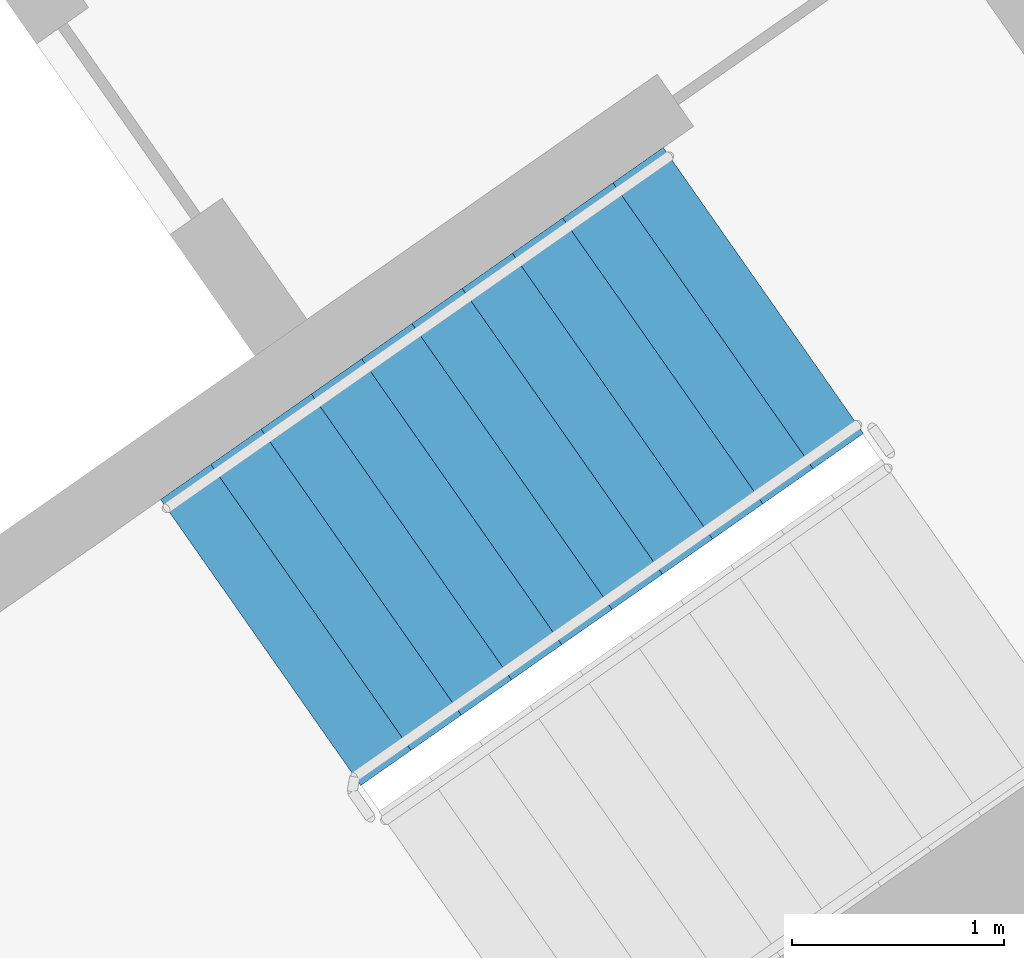
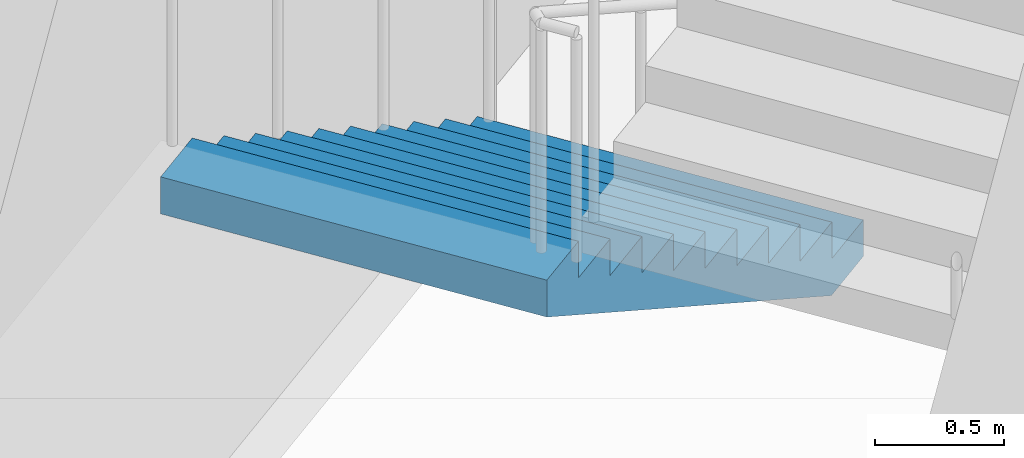
# One storey, part 17 of 30: 1 stair flight, 1 element without a shape of its own.
"""IFC4 building model written with IfcOpenShell, lengths in metres."""

from ifc_helpers import new_model, si_unit, direction, frame, origin, place, context, subcontext, project, spatial, faceted_brep, material, type_object, element, aggregate, save


model = new_model("IFC4")

# Units and contexts
model_context = context("Model", 3, precision=1e-05, world=origin(), true_north=direction((0.0, 1.0)))
body_context = subcontext(model_context, "Body", "Model", "MODEL_VIEW")
ifc_project = project(units=[si_unit("LENGTHUNIT", "METRE"), si_unit("AREAUNIT", "SQUARE_METRE"), si_unit("VOLUMEUNIT", "CUBIC_METRE"), si_unit("PLANEANGLEUNIT", "RADIAN"), si_unit("MASSUNIT", "GRAM", prefix="KILO")], contexts=[model_context])

# Site, building, storey
site_placement = place(None, origin())
site = spatial("IfcSite", under=ifc_project, at=site_placement, CompositionType="ELEMENT")
building_placement = place(site_placement, origin())
building = spatial("IfcBuilding", under=site, at=building_placement, Name="Qamariyya Broadcast Tower", CompositionType="ELEMENT")
storey_placement = place(building_placement, frame((0.0, 0.0, 98.699951171875)))
storey = spatial("IfcBuildingStorey", under=building, at=storey_placement, Name="L21", CompositionType="ELEMENT", Elevation=98.699951171875)

# Stair, stair flight
ifc_material = material(Name="Concrete C50/60", Category="concrete")
stair_type = type_object("IfcStairType", Name="Exit stair 22 risers of 173 mm", PredefinedType="HALF_TURN_STAIR", material=ifc_material)
stair_placement = place(storey_placement, origin())
stair = element("IfcStair", 1, at=stair_placement, inside=storey, type_object=stair_type, Name="L21 Stair E1", PredefinedType="HALF_TURN_STAIR")
stair_flight_type = type_object("IfcStairFlightType", Name="Exit stair flight 11 risers of 173 mm", PredefinedType="STRAIGHT", material=ifc_material)
stair_flight_placement = place(storey_placement, frame((46.036376953125, -55.508056640625, 0.0), z_axis=(0.0, 0.0, 1.0), x_axis=(-0.819152044289, -0.573576436351, 0.0)))
stair_flight = element("IfcStairFlight", 2, at=stair_flight_placement, type_object=stair_flight_type, Name="ST-E1 flight 1", NumberOfRisers=11, NumberOfTreads=10, PredefinedType="STRAIGHT", RiserHeight=0.172727273, TreadLength=0.29, context=body_context, shape_type="Brep", body=[
    faceted_brep([(0.0, 0.824951171875, 0.0), (0.0, 0.824951171875, 0.172607421875), (0.2900390625, 0.824951171875, 0.172607421875), (0.2900390625, 0.824951171875, 0.345458984375), (0.580078125, 0.824951171875, 0.345458984375), (0.580078125, 0.824951171875, 0.51806640625), (0.8701171875, 0.824951171875, 0.51806640625), (0.8701171875, 0.824951171875, 0.69091796875), (1.159912109375, 0.824951171875, 0.69091796875), (1.159912109375, 0.824951171875, 0.863525390625), (1.449951171875, 0.824951171875, 0.863525390625), (1.449951171875, 0.824951171875, 1.036376953125), (1.739990234375, 0.824951171875, 1.036376953125), (1.739990234375, 0.824951171875, 1.208984375), (2.030029296875, 0.824951171875, 1.208984375), (2.030029296875, 0.824951171875, 1.3818359375), (2.320068359375, 0.824951171875, 1.3818359375), (2.320068359375, 0.824951171875, 1.554443359375), (2.610107421875, 0.824951171875, 1.554443359375), (2.610107421875, 0.824951171875, 1.727294921875), (2.89990234375, 0.824951171875, 1.727294921875), (2.89990234375, 0.824951171875, 1.552734375), (0.29296875, 0.824951171875, 0.0), (0.29296875, -0.824951171875, 0.0), (2.89990234375, -0.824951171875, 1.552734375), (2.89990234375, -0.824951171875, 1.727294921875), (2.610107421875, -0.824951171875, 1.727294921875), (2.610107421875, -0.824951171875, 1.554443359375), (2.320068359375, -0.824951171875, 1.554443359375), (2.320068359375, -0.824951171875, 1.3818359375), (2.030029296875, -0.824951171875, 1.3818359375), (2.030029296875, -0.824951171875, 1.208984375), (1.739990234375, -0.824951171875, 1.208984375), (1.739990234375, -0.824951171875, 1.036376953125), (1.449951171875, -0.824951171875, 1.036376953125), (1.449951171875, -0.824951171875, 0.863525390625), (1.159912109375, -0.824951171875, 0.863525390625), (1.159912109375, -0.824951171875, 0.69091796875), (0.8701171875, -0.824951171875, 0.69091796875), (0.8701171875, -0.824951171875, 0.51806640625), (0.580078125, -0.824951171875, 0.51806640625), (0.580078125, -0.824951171875, 0.345458984375), (0.2900390625, -0.824951171875, 0.345458984375), (0.2900390625, -0.824951171875, 0.172607421875), (0.0, -0.824951171875, 0.172607421875), (0.0, -0.824951171875, 0.0), (0.0, 0.10009765625, 0.0), (0.0, 0.086669921875, 0.0), (0.0, 0.0732421875, 0.0), (0.0, 0.06005859375, 0.0), (0.0, 0.046630859375, 0.0), (0.0, 0.033447265625, 0.0), (0.0, 0.02001953125, 0.0), (0.0, 0.006591796875, 0.0), (0.0, -0.006591796875, 0.0), (0.0, -0.02001953125, 0.0), (0.0, -0.033447265625, 0.0), (0.0, -0.046630859375, 0.0), (0.0, -0.06005859375, 0.0), (0.0, -0.0732421875, 0.0), (0.0, -0.086669921875, 0.0), (0.0, -0.10009765625, 0.0), (0.0, -0.10009765625, 0.172607421875), (0.0, -0.086669921875, 0.172607421875), (0.0, -0.0732421875, 0.172607421875), (0.0, -0.06005859375, 0.172607421875), (0.0, -0.046630859375, 0.172607421875), (0.0, -0.033447265625, 0.172607421875), (0.0, -0.02001953125, 0.172607421875), (0.0, -0.006591796875, 0.172607421875), (0.0, 0.006591796875, 0.172607421875), (0.0, 0.02001953125, 0.172607421875), (0.0, 0.033447265625, 0.172607421875), (0.0, 0.046630859375, 0.172607421875), (0.0, 0.06005859375, 0.172607421875), (0.0, 0.0732421875, 0.172607421875), (0.0, 0.086669921875, 0.172607421875), (0.0, 0.10009765625, 0.172607421875), (0.2900390625, -0.10009765625, 0.172607421875), (0.2900390625, -0.086669921875, 0.172607421875), (0.2900390625, -0.0732421875, 0.172607421875), (0.2900390625, -0.06005859375, 0.172607421875), (0.2900390625, -0.046630859375, 0.172607421875), (0.2900390625, -0.033447265625, 0.172607421875), (0.2900390625, -0.02001953125, 0.172607421875), (0.2900390625, -0.006591796875, 0.172607421875), (0.2900390625, 0.006591796875, 0.172607421875), (0.2900390625, 0.02001953125, 0.172607421875), (0.2900390625, 0.033447265625, 0.172607421875), (0.2900390625, 0.046630859375, 0.172607421875), (0.2900390625, 0.06005859375, 0.172607421875), (0.2900390625, 0.0732421875, 0.172607421875), (0.2900390625, 0.086669921875, 0.172607421875), (0.2900390625, 0.10009765625, 0.172607421875), (0.2900390625, -0.10009765625, 0.345458984375), (0.2900390625, -0.086669921875, 0.345458984375), (0.2900390625, -0.0732421875, 0.345458984375), (0.2900390625, -0.06005859375, 0.345458984375), (0.2900390625, -0.046630859375, 0.345458984375), (0.2900390625, -0.033447265625, 0.345458984375), (0.2900390625, -0.02001953125, 0.345458984375), (0.2900390625, -0.006591796875, 0.345458984375), (0.2900390625, 0.006591796875, 0.345458984375), (0.2900390625, 0.02001953125, 0.345458984375), (0.2900390625, 0.033447265625, 0.345458984375), (0.2900390625, 0.046630859375, 0.345458984375), (0.2900390625, 0.06005859375, 0.345458984375), (0.2900390625, 0.0732421875, 0.345458984375), (0.2900390625, 0.086669921875, 0.345458984375), (0.2900390625, 0.10009765625, 0.345458984375), (0.580078125, -0.10009765625, 0.345458984375), (0.580078125, -0.086669921875, 0.345458984375), (0.580078125, -0.0732421875, 0.345458984375), (0.580078125, -0.06005859375, 0.345458984375), (0.580078125, -0.046630859375, 0.345458984375), (0.580078125, -0.033447265625, 0.345458984375), (0.580078125, -0.02001953125, 0.345458984375), (0.580078125, -0.006591796875, 0.345458984375), (0.580078125, 0.006591796875, 0.345458984375), (0.580078125, 0.02001953125, 0.345458984375), (0.580078125, 0.033447265625, 0.345458984375), (0.580078125, 0.046630859375, 0.345458984375), (0.580078125, 0.06005859375, 0.345458984375), (0.580078125, 0.0732421875, 0.345458984375), (0.580078125, 0.086669921875, 0.345458984375), (0.580078125, 0.10009765625, 0.345458984375), (0.580078125, -0.10009765625, 0.51806640625), (0.580078125, -0.086669921875, 0.51806640625), (0.580078125, -0.0732421875, 0.51806640625), (0.580078125, -0.06005859375, 0.51806640625), (0.580078125, -0.046630859375, 0.51806640625), (0.580078125, -0.033447265625, 0.51806640625), (0.580078125, -0.02001953125, 0.51806640625), (0.580078125, -0.006591796875, 0.51806640625), (0.580078125, 0.006591796875, 0.51806640625), (0.580078125, 0.02001953125, 0.51806640625), (0.580078125, 0.033447265625, 0.51806640625), (0.580078125, 0.046630859375, 0.51806640625), (0.580078125, 0.06005859375, 0.51806640625), (0.580078125, 0.0732421875, 0.51806640625), (0.580078125, 0.086669921875, 0.51806640625), (0.580078125, 0.10009765625, 0.51806640625), (0.8701171875, -0.10009765625, 0.51806640625), (0.8701171875, -0.086669921875, 0.51806640625), (0.8701171875, -0.0732421875, 0.51806640625), (0.8701171875, -0.06005859375, 0.51806640625), (0.8701171875, -0.046630859375, 0.51806640625), (0.8701171875, -0.033447265625, 0.51806640625), (0.8701171875, -0.02001953125, 0.51806640625), (0.8701171875, -0.006591796875, 0.51806640625), (0.8701171875, 0.006591796875, 0.51806640625), (0.8701171875, 0.02001953125, 0.51806640625), (0.8701171875, 0.033447265625, 0.51806640625), (0.8701171875, 0.046630859375, 0.51806640625), (0.8701171875, 0.06005859375, 0.51806640625), (0.8701171875, 0.0732421875, 0.51806640625), (0.8701171875, 0.086669921875, 0.51806640625), (0.8701171875, 0.10009765625, 0.51806640625), (0.8701171875, -0.10009765625, 0.69091796875), (0.8701171875, -0.086669921875, 0.69091796875), (0.8701171875, -0.0732421875, 0.69091796875), (0.8701171875, -0.06005859375, 0.69091796875), (0.8701171875, -0.046630859375, 0.69091796875), (0.8701171875, -0.033447265625, 0.69091796875), (0.8701171875, -0.02001953125, 0.69091796875), (0.8701171875, -0.006591796875, 0.69091796875), (0.8701171875, 0.006591796875, 0.69091796875), (0.8701171875, 0.02001953125, 0.69091796875), (0.8701171875, 0.033447265625, 0.69091796875), (0.8701171875, 0.046630859375, 0.69091796875), (0.8701171875, 0.06005859375, 0.69091796875), (0.8701171875, 0.0732421875, 0.69091796875), (0.8701171875, 0.086669921875, 0.69091796875), (0.8701171875, 0.10009765625, 0.69091796875), (1.159912109375, -0.10009765625, 0.69091796875), (1.159912109375, -0.086669921875, 0.69091796875), (1.159912109375, -0.0732421875, 0.69091796875), (1.159912109375, -0.06005859375, 0.69091796875), (1.159912109375, -0.046630859375, 0.69091796875), (1.159912109375, -0.033447265625, 0.69091796875), (1.159912109375, -0.02001953125, 0.69091796875), (1.159912109375, -0.006591796875, 0.69091796875), (1.159912109375, 0.006591796875, 0.69091796875), (1.159912109375, 0.02001953125, 0.69091796875), (1.159912109375, 0.033447265625, 0.69091796875), (1.159912109375, 0.046630859375, 0.69091796875), (1.159912109375, 0.06005859375, 0.69091796875), (1.159912109375, 0.0732421875, 0.69091796875), (1.159912109375, 0.086669921875, 0.69091796875), (1.159912109375, 0.10009765625, 0.69091796875), (1.159912109375, -0.10009765625, 0.863525390625), (1.159912109375, -0.086669921875, 0.863525390625), (1.159912109375, -0.0732421875, 0.863525390625), (1.159912109375, -0.06005859375, 0.863525390625), (1.159912109375, -0.046630859375, 0.863525390625), (1.159912109375, -0.033447265625, 0.863525390625), (1.159912109375, -0.02001953125, 0.863525390625), (1.159912109375, -0.006591796875, 0.863525390625), (1.159912109375, 0.006591796875, 0.863525390625), (1.159912109375, 0.02001953125, 0.863525390625), (1.159912109375, 0.033447265625, 0.863525390625), (1.159912109375, 0.046630859375, 0.863525390625), (1.159912109375, 0.06005859375, 0.863525390625), (1.159912109375, 0.0732421875, 0.863525390625), (1.159912109375, 0.086669921875, 0.863525390625), (1.159912109375, 0.10009765625, 0.863525390625), (1.449951171875, -0.10009765625, 0.863525390625), (1.449951171875, -0.086669921875, 0.863525390625), (1.449951171875, -0.0732421875, 0.863525390625), (1.449951171875, -0.06005859375, 0.863525390625), (1.449951171875, -0.046630859375, 0.863525390625), (1.449951171875, -0.033447265625, 0.863525390625), (1.449951171875, -0.02001953125, 0.863525390625), (1.449951171875, -0.006591796875, 0.863525390625), (1.449951171875, 0.006591796875, 0.863525390625), (1.449951171875, 0.02001953125, 0.863525390625), (1.449951171875, 0.033447265625, 0.863525390625), (1.449951171875, 0.046630859375, 0.863525390625), (1.449951171875, 0.06005859375, 0.863525390625), (1.449951171875, 0.0732421875, 0.863525390625), (1.449951171875, 0.086669921875, 0.863525390625), (1.449951171875, 0.10009765625, 0.863525390625), (1.449951171875, -0.10009765625, 1.036376953125), (1.449951171875, -0.086669921875, 1.036376953125), (1.449951171875, -0.0732421875, 1.036376953125), (1.449951171875, -0.06005859375, 1.036376953125), (1.449951171875, -0.046630859375, 1.036376953125), (1.449951171875, -0.033447265625, 1.036376953125), (1.449951171875, -0.02001953125, 1.036376953125), (1.449951171875, -0.006591796875, 1.036376953125), (1.449951171875, 0.006591796875, 1.036376953125), (1.449951171875, 0.02001953125, 1.036376953125), (1.449951171875, 0.033447265625, 1.036376953125), (1.449951171875, 0.046630859375, 1.036376953125), (1.449951171875, 0.06005859375, 1.036376953125), (1.449951171875, 0.0732421875, 1.036376953125), (1.449951171875, 0.086669921875, 1.036376953125), (1.449951171875, 0.10009765625, 1.036376953125), (1.739990234375, -0.10009765625, 1.036376953125), (1.739990234375, -0.086669921875, 1.036376953125), (1.739990234375, -0.0732421875, 1.036376953125), (1.739990234375, -0.06005859375, 1.036376953125), (1.739990234375, -0.046630859375, 1.036376953125), (1.739990234375, -0.033447265625, 1.036376953125), (1.739990234375, -0.02001953125, 1.036376953125), (1.739990234375, -0.006591796875, 1.036376953125), (1.739990234375, 0.006591796875, 1.036376953125), (1.739990234375, 0.02001953125, 1.036376953125), (1.739990234375, 0.033447265625, 1.036376953125), (1.739990234375, 0.046630859375, 1.036376953125), (1.739990234375, 0.06005859375, 1.036376953125), (1.739990234375, 0.0732421875, 1.036376953125), (1.739990234375, 0.086669921875, 1.036376953125), (1.739990234375, 0.10009765625, 1.036376953125), (1.739990234375, -0.10009765625, 1.208984375), (1.739990234375, -0.086669921875, 1.208984375), (1.739990234375, -0.0732421875, 1.208984375), (1.739990234375, -0.06005859375, 1.208984375), (1.739990234375, -0.046630859375, 1.208984375), (1.739990234375, -0.033447265625, 1.208984375), (1.739990234375, -0.02001953125, 1.208984375), (1.739990234375, -0.006591796875, 1.208984375), (1.739990234375, 0.006591796875, 1.208984375), (1.739990234375, 0.02001953125, 1.208984375), (1.739990234375, 0.033447265625, 1.208984375), (1.739990234375, 0.046630859375, 1.208984375), (1.739990234375, 0.06005859375, 1.208984375), (1.739990234375, 0.0732421875, 1.208984375), (1.739990234375, 0.086669921875, 1.208984375), (1.739990234375, 0.10009765625, 1.208984375), (2.030029296875, -0.10009765625, 1.208984375), (2.030029296875, -0.086669921875, 1.208984375), (2.030029296875, -0.0732421875, 1.208984375), (2.030029296875, -0.06005859375, 1.208984375), (2.030029296875, -0.046630859375, 1.208984375), (2.030029296875, -0.033447265625, 1.208984375), (2.030029296875, -0.02001953125, 1.208984375), (2.030029296875, -0.006591796875, 1.208984375), (2.030029296875, 0.006591796875, 1.208984375), (2.030029296875, 0.02001953125, 1.208984375), (2.030029296875, 0.033447265625, 1.208984375), (2.030029296875, 0.046630859375, 1.208984375), (2.030029296875, 0.06005859375, 1.208984375), (2.030029296875, 0.0732421875, 1.208984375), (2.030029296875, 0.086669921875, 1.208984375), (2.030029296875, 0.10009765625, 1.208984375), (2.030029296875, -0.10009765625, 1.3818359375), (2.030029296875, -0.086669921875, 1.3818359375), (2.030029296875, -0.0732421875, 1.3818359375), (2.030029296875, -0.06005859375, 1.3818359375), (2.030029296875, -0.046630859375, 1.3818359375), (2.030029296875, -0.033447265625, 1.3818359375), (2.030029296875, -0.02001953125, 1.3818359375), (2.030029296875, -0.006591796875, 1.3818359375), (2.030029296875, 0.006591796875, 1.3818359375), (2.030029296875, 0.02001953125, 1.3818359375), (2.030029296875, 0.033447265625, 1.3818359375), (2.030029296875, 0.046630859375, 1.3818359375), (2.030029296875, 0.06005859375, 1.3818359375), (2.030029296875, 0.0732421875, 1.3818359375), (2.030029296875, 0.086669921875, 1.3818359375), (2.030029296875, 0.10009765625, 1.3818359375), (2.320068359375, -0.10009765625, 1.3818359375), (2.320068359375, -0.086669921875, 1.3818359375), (2.320068359375, -0.0732421875, 1.3818359375), (2.320068359375, -0.06005859375, 1.3818359375), (2.320068359375, -0.046630859375, 1.3818359375), (2.320068359375, -0.033447265625, 1.3818359375), (2.320068359375, -0.02001953125, 1.3818359375), (2.320068359375, -0.006591796875, 1.3818359375), (2.320068359375, 0.006591796875, 1.3818359375), (2.320068359375, 0.02001953125, 1.3818359375), (2.320068359375, 0.033447265625, 1.3818359375), (2.320068359375, 0.046630859375, 1.3818359375), (2.320068359375, 0.06005859375, 1.3818359375), (2.320068359375, 0.0732421875, 1.3818359375), (2.320068359375, 0.086669921875, 1.3818359375), (2.320068359375, 0.10009765625, 1.3818359375), (2.320068359375, -0.10009765625, 1.554443359375), (2.320068359375, -0.086669921875, 1.554443359375), (2.320068359375, -0.0732421875, 1.554443359375), (2.320068359375, -0.06005859375, 1.554443359375), (2.320068359375, -0.046630859375, 1.554443359375), (2.320068359375, -0.033447265625, 1.554443359375), (2.320068359375, -0.02001953125, 1.554443359375), (2.320068359375, -0.006591796875, 1.554443359375), (2.320068359375, 0.006591796875, 1.554443359375), (2.320068359375, 0.02001953125, 1.554443359375), (2.320068359375, 0.033447265625, 1.554443359375), (2.320068359375, 0.046630859375, 1.554443359375), (2.320068359375, 0.06005859375, 1.554443359375), (2.320068359375, 0.0732421875, 1.554443359375), (2.320068359375, 0.086669921875, 1.554443359375), (2.320068359375, 0.10009765625, 1.554443359375), (2.610107421875, -0.10009765625, 1.554443359375), (2.610107421875, -0.086669921875, 1.554443359375), (2.610107421875, -0.0732421875, 1.554443359375), (2.610107421875, -0.06005859375, 1.554443359375), (2.610107421875, -0.046630859375, 1.554443359375), (2.610107421875, -0.033447265625, 1.554443359375), (2.610107421875, -0.02001953125, 1.554443359375), (2.610107421875, -0.006591796875, 1.554443359375), (2.610107421875, 0.006591796875, 1.554443359375), (2.610107421875, 0.02001953125, 1.554443359375), (2.610107421875, 0.033447265625, 1.554443359375), (2.610107421875, 0.046630859375, 1.554443359375), (2.610107421875, 0.06005859375, 1.554443359375), (2.610107421875, 0.0732421875, 1.554443359375), (2.610107421875, 0.086669921875, 1.554443359375), (2.610107421875, 0.10009765625, 1.554443359375), (2.610107421875, -0.10009765625, 1.727294921875), (2.610107421875, -0.086669921875, 1.727294921875), (2.610107421875, -0.0732421875, 1.727294921875), (2.610107421875, -0.06005859375, 1.727294921875), (2.610107421875, -0.046630859375, 1.727294921875), (2.610107421875, -0.033447265625, 1.727294921875), (2.610107421875, -0.02001953125, 1.727294921875), (2.610107421875, -0.006591796875, 1.727294921875), (2.610107421875, 0.006591796875, 1.727294921875), (2.610107421875, 0.02001953125, 1.727294921875), (2.610107421875, 0.033447265625, 1.727294921875), (2.610107421875, 0.046630859375, 1.727294921875), (2.610107421875, 0.06005859375, 1.727294921875), (2.610107421875, 0.0732421875, 1.727294921875), (2.610107421875, 0.086669921875, 1.727294921875), (2.610107421875, 0.10009765625, 1.727294921875), (2.89990234375, -0.10009765625, 1.727294921875), (2.89990234375, -0.086669921875, 1.727294921875), (2.89990234375, -0.0732421875, 1.727294921875), (2.89990234375, -0.06005859375, 1.727294921875), (2.89990234375, -0.046630859375, 1.727294921875), (2.89990234375, -0.033447265625, 1.727294921875), (2.89990234375, -0.02001953125, 1.727294921875), (2.89990234375, -0.006591796875, 1.727294921875), (2.89990234375, 0.006591796875, 1.727294921875), (2.89990234375, 0.02001953125, 1.727294921875), (2.89990234375, 0.033447265625, 1.727294921875), (2.89990234375, 0.046630859375, 1.727294921875), (2.89990234375, 0.06005859375, 1.727294921875), (2.89990234375, 0.0732421875, 1.727294921875), (2.89990234375, 0.086669921875, 1.727294921875), (2.89990234375, 0.10009765625, 1.727294921875), (2.89990234375, -0.10009765625, 1.552734375), (2.89990234375, -0.086669921875, 1.552734375), (2.89990234375, -0.0732421875, 1.552734375), (2.89990234375, -0.06005859375, 1.552734375), (2.89990234375, -0.046630859375, 1.552734375), (2.89990234375, -0.033447265625, 1.552734375), (2.89990234375, -0.02001953125, 1.552734375), (2.89990234375, -0.006591796875, 1.552734375), (2.89990234375, 0.006591796875, 1.552734375), (2.89990234375, 0.02001953125, 1.552734375), (2.89990234375, 0.033447265625, 1.552734375), (2.89990234375, 0.046630859375, 1.552734375), (2.89990234375, 0.06005859375, 1.552734375), (2.89990234375, 0.0732421875, 1.552734375), (2.89990234375, 0.086669921875, 1.552734375), (2.89990234375, 0.10009765625, 1.552734375), (0.29296875, -0.10009765625, 0.0), (0.29296875, -0.086669921875, 0.0), (0.29296875, -0.0732421875, 0.0), (0.29296875, -0.06005859375, 0.0), (0.29296875, -0.046630859375, 0.0), (0.29296875, -0.033447265625, 0.0), (0.29296875, -0.02001953125, 0.0), (0.29296875, -0.006591796875, 0.0), (0.29296875, 0.006591796875, 0.0), (0.29296875, 0.02001953125, 0.0), (0.29296875, 0.033447265625, 0.0), (0.29296875, 0.046630859375, 0.0), (0.29296875, 0.06005859375, 0.0), (0.29296875, 0.0732421875, 0.0), (0.29296875, 0.086669921875, 0.0), (0.29296875, 0.10009765625, 0.0)], [[[0, 1, 2, 3, 4, 5, 6, 7, 8, 9, 10, 11, 12, 13, 14, 15, 16, 17, 18, 19, 20, 21, 22]], [[23, 24, 25, 26, 27, 28, 29, 30, 31, 32, 33, 34, 35, 36, 37, 38, 39, 40, 41, 42, 43, 44, 45]], [[0, 46, 47, 48, 49, 50, 51, 52, 53, 54, 55, 56, 57, 58, 59, 60, 61, 45, 44, 62, 63, 64, 65, 66, 67, 68, 69, 70, 71, 72, 73, 74, 75, 76, 77, 1]], [[1, 77, 76, 75, 74, 73, 72, 71, 70, 69, 68, 67, 66, 65, 64, 63, 62, 44, 43, 78, 79, 80, 81, 82, 83, 84, 85, 86, 87, 88, 89, 90, 91, 92, 93, 2]], [[2, 93, 92, 91, 90, 89, 88, 87, 86, 85, 84, 83, 82, 81, 80, 79, 78, 43, 42, 94, 95, 96, 97, 98, 99, 100, 101, 102, 103, 104, 105, 106, 107, 108, 109, 3]], [[3, 109, 108, 107, 106, 105, 104, 103, 102, 101, 100, 99, 98, 97, 96, 95, 94, 42, 41, 110, 111, 112, 113, 114, 115, 116, 117, 118, 119, 120, 121, 122, 123, 124, 125, 4]], [[4, 125, 124, 123, 122, 121, 120, 119, 118, 117, 116, 115, 114, 113, 112, 111, 110, 41, 40, 126, 127, 128, 129, 130, 131, 132, 133, 134, 135, 136, 137, 138, 139, 140, 141, 5]], [[5, 141, 140, 139, 138, 137, 136, 135, 134, 133, 132, 131, 130, 129, 128, 127, 126, 40, 39, 142, 143, 144, 145, 146, 147, 148, 149, 150, 151, 152, 153, 154, 155, 156, 157, 6]], [[6, 157, 156, 155, 154, 153, 152, 151, 150, 149, 148, 147, 146, 145, 144, 143, 142, 39, 38, 158, 159, 160, 161, 162, 163, 164, 165, 166, 167, 168, 169, 170, 171, 172, 173, 7]], [[7, 173, 172, 171, 170, 169, 168, 167, 166, 165, 164, 163, 162, 161, 160, 159, 158, 38, 37, 174, 175, 176, 177, 178, 179, 180, 181, 182, 183, 184, 185, 186, 187, 188, 189, 8]], [[8, 189, 188, 187, 186, 185, 184, 183, 182, 181, 180, 179, 178, 177, 176, 175, 174, 37, 36, 190, 191, 192, 193, 194, 195, 196, 197, 198, 199, 200, 201, 202, 203, 204, 205, 9]], [[9, 205, 204, 203, 202, 201, 200, 199, 198, 197, 196, 195, 194, 193, 192, 191, 190, 36, 35, 206, 207, 208, 209, 210, 211, 212, 213, 214, 215, 216, 217, 218, 219, 220, 221, 10]], [[10, 221, 220, 219, 218, 217, 216, 215, 214, 213, 212, 211, 210, 209, 208, 207, 206, 35, 34, 222, 223, 224, 225, 226, 227, 228, 229, 230, 231, 232, 233, 234, 235, 236, 237, 11]], [[11, 237, 236, 235, 234, 233, 232, 231, 230, 229, 228, 227, 226, 225, 224, 223, 222, 34, 33, 238, 239, 240, 241, 242, 243, 244, 245, 246, 247, 248, 249, 250, 251, 252, 253, 12]], [[12, 253, 252, 251, 250, 249, 248, 247, 246, 245, 244, 243, 242, 241, 240, 239, 238, 33, 32, 254, 255, 256, 257, 258, 259, 260, 261, 262, 263, 264, 265, 266, 267, 268, 269, 13]], [[13, 269, 268, 267, 266, 265, 264, 263, 262, 261, 260, 259, 258, 257, 256, 255, 254, 32, 31, 270, 271, 272, 273, 274, 275, 276, 277, 278, 279, 280, 281, 282, 283, 284, 285, 14]], [[14, 285, 284, 283, 282, 281, 280, 279, 278, 277, 276, 275, 274, 273, 272, 271, 270, 31, 30, 286, 287, 288, 289, 290, 291, 292, 293, 294, 295, 296, 297, 298, 299, 300, 301, 15]], [[15, 301, 300, 299, 298, 297, 296, 295, 294, 293, 292, 291, 290, 289, 288, 287, 286, 30, 29, 302, 303, 304, 305, 306, 307, 308, 309, 310, 311, 312, 313, 314, 315, 316, 317, 16]], [[16, 317, 316, 315, 314, 313, 312, 311, 310, 309, 308, 307, 306, 305, 304, 303, 302, 29, 28, 318, 319, 320, 321, 322, 323, 324, 325, 326, 327, 328, 329, 330, 331, 332, 333, 17]], [[17, 333, 332, 331, 330, 329, 328, 327, 326, 325, 324, 323, 322, 321, 320, 319, 318, 28, 27, 334, 335, 336, 337, 338, 339, 340, 341, 342, 343, 344, 345, 346, 347, 348, 349, 18]], [[18, 349, 348, 347, 346, 345, 344, 343, 342, 341, 340, 339, 338, 337, 336, 335, 334, 27, 26, 350, 351, 352, 353, 354, 355, 356, 357, 358, 359, 360, 361, 362, 363, 364, 365, 19]], [[19, 365, 364, 363, 362, 361, 360, 359, 358, 357, 356, 355, 354, 353, 352, 351, 350, 26, 25, 366, 367, 368, 369, 370, 371, 372, 373, 374, 375, 376, 377, 378, 379, 380, 381, 20]], [[20, 381, 380, 379, 378, 377, 376, 375, 374, 373, 372, 371, 370, 369, 368, 367, 366, 25, 24, 382, 383, 384, 385, 386, 387, 388, 389, 390, 391, 392, 393, 394, 395, 396, 397, 21]], [[21, 397, 396, 395, 394, 393, 392, 391, 390, 389, 388, 387, 386, 385, 384, 383, 382, 24, 23, 398, 399, 400, 401, 402, 403, 404, 405, 406, 407, 408, 409, 410, 411, 412, 413, 22]], [[22, 413, 412, 411, 410, 409, 408, 407, 406, 405, 404, 403, 402, 401, 400, 399, 398, 23, 45, 61, 60, 59, 58, 57, 56, 55, 54, 53, 52, 51, 50, 49, 48, 47, 46, 0]]]),
])
aggregate(stair, [stair_flight])

save(model, "model.ifc")
